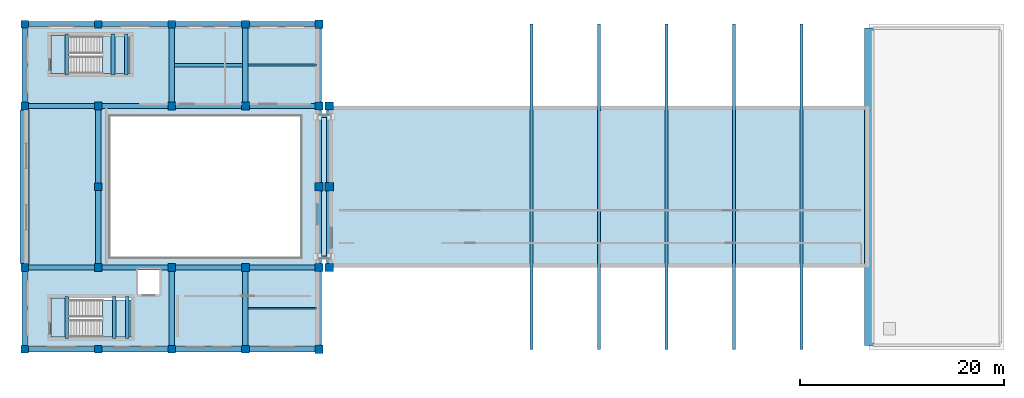
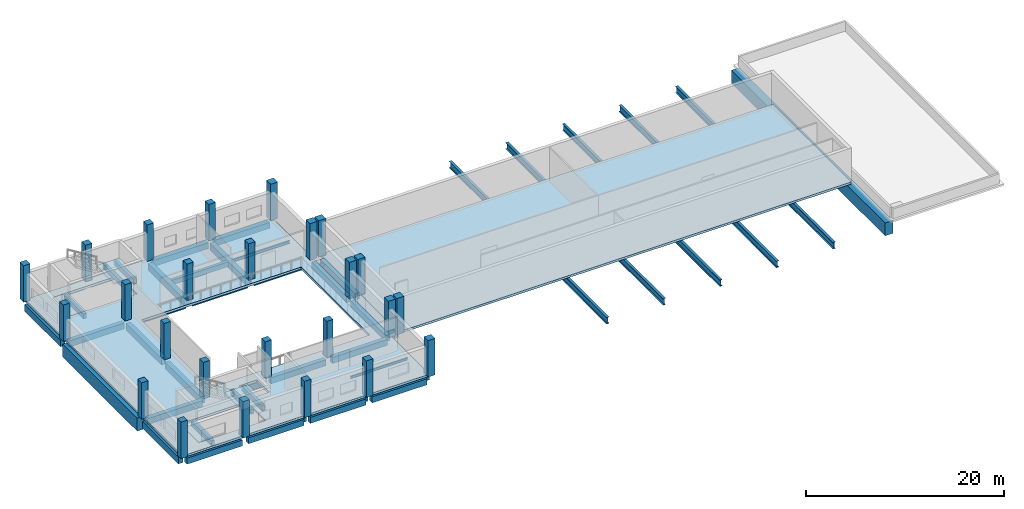
# One storey, part 1 of 7: 48 beams, 25 columns, 7 slabs, 2 elements without a shape of their own.
"""IFC4 building model written with IfcOpenShell, lengths in metres."""

from ifc_helpers import new_model, si_unit, direction, frame, origin, origin_2d, place, context, subcontext, project, spatial, polyline, rectangle, hollow_rectangle, i_section, outline, extrude, material, layer, layer_set, material_profile, profile_set, type_object, element, aggregate, save


model = new_model("IFC4")

# Units and contexts
model_context = context("Model", 3, precision=1e-05, world=origin(), true_north=direction((0.0, 1.0)))
body_context = subcontext(model_context, "Body", "Model", "MODEL_VIEW")
ifc_project = project(units=[si_unit("LENGTHUNIT", "METRE"), si_unit("AREAUNIT", "SQUARE_METRE"), si_unit("VOLUMEUNIT", "CUBIC_METRE"), si_unit("PLANEANGLEUNIT", "RADIAN"), si_unit("MASSUNIT", "GRAM", prefix="KILO")], contexts=[model_context])

# Site, building, storey
site_placement = place(None, origin())
site = spatial("IfcSite", under=ifc_project, at=site_placement, CompositionType="ELEMENT")
building_placement = place(site_placement, origin())
building = spatial("IfcBuilding", under=site, at=building_placement, Name="Kelarvand Opera House", CompositionType="ELEMENT")
storey_placement = place(building_placement, frame((0.0, 0.0, 24.0)))
storey = spatial("IfcBuildingStorey", under=building, at=storey_placement, Name="L05", CompositionType="ELEMENT", Elevation=24.0)

# Columns
ifc_material_1 = material(Name="Concrete C40/50", Category="concrete")
ifc_material_profile_1 = material_profile(ifc_material_1, rectangle(XDim=0.75, YDim=0.75, at=origin_2d()), Name="RC 750x750", Category="concrete")
ifc_profile_set_1 = profile_set([ifc_material_profile_1], Name="Concrete C40/50")
column_type_1 = type_object("IfcColumnType", Name="Structural Column RC 750x750 (Int) COL-750", PredefinedType="COLUMN", material=ifc_profile_set_1)
for number, where, z_axis, x_axis, name in (
    (1, (59.199951171875, 46.60009765625, 0.0), (0.0, 0.0, 1.0), (1.0, 0.0, 0.0), "V2 Column COL-750 at L05"),
    (2, (59.199951171875, 54.60009765625, 0.0), (0.0, 0.0, 1.0), (1.0, 0.0, 0.0), "V2 Column COL-750 at L05"),
    (3, (59.199951171875, 70.39990234375, 0.0), (0.0, 0.0, 1.0), (1.0, 0.0, 0.0), "V2 Column COL-750 at L05"),
    (4, (59.199951171875, 78.39990234375, 0.0), (0.0, 0.0, 1.0), (1.0, 0.0, 0.0), "V2 Column COL-750 at L05"),
    (5, (66.39990234375, 46.60009765625, 0.0), (0.0, 0.0, 1.0), (1.0, 0.0, 0.0), "V2 Column COL-750 at L05"),
    (6, (66.39990234375, 54.60009765625, 0.0), (0.0, 0.0, 1.0), (1.0, 0.0, 0.0), "V2 Column COL-750 at L05"),
    (7, (66.39990234375, 62.5, 0.0), (0.0, 0.0, 1.0), (1.0, 0.0, 0.0), "V2 Column COL-750 at L05"),
    (8, (66.39990234375, 70.39990234375, 0.0), (0.0, 0.0, 1.0), (1.0, 0.0, 0.0), "V2 Column COL-750 at L05"),
    (9, (66.39990234375, 78.39990234375, 0.0), (0.0, 0.0, 1.0), (1.0, 0.0, 0.0), "V2 Column COL-750 at L05"),
    (10, (73.60009765625, 46.60009765625, 0.0), (0.0, 0.0, 1.0), (1.0, 0.0, 0.0), "V2 Column COL-750 at L05"),
    (11, (73.60009765625, 54.60009765625, 0.0), (0.0, 0.0, 1.0), (1.0, 0.0, 0.0), "V2 Column COL-750 at L05"),
    (12, (73.60009765625, 70.39990234375, 0.0), (0.0, 0.0, 1.0), (1.0, 0.0, 0.0), "V2 Column COL-750 at L05"),
    (13, (73.60009765625, 78.39990234375, 0.0), (0.0, 0.0, 1.0), (1.0, 0.0, 0.0), "V2 Column COL-750 at L05"),
    (14, (80.800048828125, 46.60009765625, 0.0), (0.0, 0.0, 1.0), (1.0, 0.0, 0.0), "V2 Column COL-750 at L05"),
    (15, (80.800048828125, 54.60009765625, 0.0), (0.0, 0.0, 1.0), (1.0, 0.0, 0.0), "V2 Column COL-750 at L05"),
    (16, (80.800048828125, 70.39990234375, 0.0), (0.0, 0.0, 1.0), (1.0, 0.0, 0.0), "V2 Column COL-750 at L05"),
    (17, (80.800048828125, 78.39990234375, 0.0), (0.0, 0.0, 1.0), (1.0, 0.0, 0.0), "V2 Column COL-750 at L05"),
):
    element("IfcColumn", number, at=place(storey_placement, frame(where, z_axis=z_axis, x_axis=x_axis)), inside=storey, type_object=column_type_1, Name=name, PredefinedType="COLUMN", context=body_context, shape_type="SweptSolid", body=[
        extrude(rectangle(XDim=0.75, YDim=0.75, at=origin_2d()), origin(), (0.0, 0.0, 1.0), 4.5),
    ])
ifc_material_profile_2 = material_profile(ifc_material_1, rectangle(XDim=0.820068359375, YDim=0.820068359375, at=origin_2d()), Name="RC 820x820", Category="concrete")
ifc_profile_set_2 = profile_set([ifc_material_profile_2], Name="Concrete C40/50")
column_type_2 = type_object("IfcColumnType", Name="Structural Column RC 820x820 (Int) COL-820", PredefinedType="COLUMN", material=ifc_profile_set_2)
for number, where, z_axis, x_axis, name in (
    (18, (89.0, 54.60009765625, 0.0), (0.0, 0.0, 1.0), (1.0, 0.0, 0.0), "V1 Column COL-820 at L05"),
    (19, (89.0, 62.5, 0.0), (0.0, 0.0, 1.0), (1.0, 0.0, 0.0), "V1 Column COL-820 at L05"),
    (20, (89.0, 70.39990234375, 0.0), (0.0, 0.0, 1.0), (1.0, 0.0, 0.0), "V1 Column COL-820 at L05"),
    (21, (88.0, 46.60009765625, 0.0), (0.0, 0.0, 1.0), (1.0, 0.0, 0.0), "V2 Column COL-820 at L05"),
    (22, (88.0, 54.60009765625, 0.0), (0.0, 0.0, 1.0), (1.0, 0.0, 0.0), "V2 Column COL-820 at L05"),
    (23, (88.0, 62.5, 0.0), (0.0, 0.0, 1.0), (1.0, 0.0, 0.0), "V2 Column COL-820 at L05"),
    (24, (88.0, 70.39990234375, 0.0), (0.0, 0.0, 1.0), (1.0, 0.0, 0.0), "V2 Column COL-820 at L05"),
    (25, (88.0, 78.39990234375, 0.0), (0.0, 0.0, 1.0), (1.0, 0.0, 0.0), "V2 Column COL-820 at L05"),
):
    element("IfcColumn", number, at=place(storey_placement, frame(where, z_axis=z_axis, x_axis=x_axis)), inside=storey, type_object=column_type_2, Name=name, PredefinedType="COLUMN", context=body_context, shape_type="SweptSolid", body=[
        extrude(rectangle(XDim=0.820068359375, YDim=0.820068359375, at=origin_2d()), origin(), (0.0, 0.0, 1.0), 4.5),
    ])

# Beams
ifc_material_2 = material(Name="Steel S355", Category="steel")
ifc_material_profile_3 = material_profile(ifc_material_2, i_section(OverallWidth=0.300048828125, OverallDepth=0.800048828125, WebThickness=0.017578125, FlangeThickness=0.032958984375, at=origin_2d()), Name="HEB 800", Category="steel")
ifc_profile_set_3 = profile_set([ifc_material_profile_3], Name="Steel S355")
beam_type_1 = type_object("IfcBeamType", Name="Structural Beam HEB 800 BM-HEB800", PredefinedType="BEAM", material=ifc_profile_set_3)
for number, where, z_axis, x_axis, name in (
    (26, (108.800048828125, 46.60009765625, -0.679931640625), (0.0, 1.0, 0.0), (-1.0, 0.0, 0.0), "V1 L05 Beam BM-HEB800"),
    (27, (115.39990234375, 46.60009765625, -0.679931640625), (0.0, 1.0, 0.0), (-1.0, 0.0, 0.0), "V1 L05 Beam BM-HEB800"),
    (28, (122.0, 46.60009765625, -0.679931640625), (0.0, 1.0, 0.0), (-1.0, 0.0, 0.0), "V1 L05 Beam BM-HEB800"),
    (29, (128.60009765625, 46.60009765625, -0.679931640625), (0.0, 1.0, 0.0), (-1.0, 0.0, 0.0), "V1 L05 Beam BM-HEB800"),
    (30, (135.199951171875, 46.60009765625, -0.679931640625), (0.0, 1.0, 0.0), (-1.0, 0.0, 0.0), "V1 L05 Beam BM-HEB800"),
):
    element("IfcBeam", number, at=place(storey_placement, frame(where, z_axis=z_axis, x_axis=x_axis)), inside=storey, type_object=beam_type_1, Name=name, PredefinedType="BEAM", context=body_context, shape_type="SweptSolid", body=[
        extrude(i_section(OverallWidth=0.300048828125, OverallDepth=0.800048828125, WebThickness=0.017578125, FlangeThickness=0.032958984375, at=origin_2d()), origin(), (0.0, 0.0, 1.0), 31.7998046875),
    ])
ifc_material_3 = material(Name="Concrete C35/45", Category="concrete")
ifc_material_profile_4 = material_profile(ifc_material_3, rectangle(XDim=0.35009765625, YDim=0.60009765625, at=origin_2d()), Name="RC 350x600", Category="concrete")
ifc_profile_set_4 = profile_set([ifc_material_profile_4], Name="Concrete C35/45")
beam_type_2 = type_object("IfcBeamType", Name="Structural Beam RC 350x600 BM-RC350x600", PredefinedType="BEAM", material=ifc_profile_set_4)
beam_1_placement = place(storey_placement, frame((73.875, 74.39990234375, -0.580078125), z_axis=(1.0, 0.0, 0.0), x_axis=(0.0, 1.0, 0.0)))
element("IfcBeam", 31, at=beam_1_placement, inside=storey, type_object=beam_type_2, Name="V2 L05 Beam BM-RC350x600", PredefinedType="BEAM", context=body_context, shape_type="SweptSolid", body=[
    extrude(rectangle(XDim=0.35009765625, YDim=0.60009765625, at=origin_2d()), origin(), (0.0, 0.0, 1.0), 6.64990234375),
])
for number, where, z_axis, x_axis, name in (
    (32, (63.340087890625, 47.64990234375, -0.52001953125), (0.0, 1.0, 0.0), (-1.0, 0.0, 0.0), "C2 Stair Landing Support Beam L05"),
    (33, (67.949951171875, 47.64990234375, 1.75), (0.0, 1.0, 0.0), (-1.0, 0.0, 0.0), "C2 Stair Half-Landing Beam 1 L05"),
    (34, (69.25, 47.64990234375, 1.75), (0.0, 1.0, 0.0), (-1.0, 0.0, 0.0), "C2 Stair Half-Landing Beam 2 L05"),
):
    element("IfcBeam", number, at=place(storey_placement, frame(where, z_axis=z_axis, x_axis=x_axis)), inside=storey, type_object=beam_type_2, Name=name, PredefinedType="BEAM", context=body_context, shape_type="SweptSolid", body=[
        extrude(rectangle(XDim=0.35009765625, YDim=0.60009765625, at=origin_2d()), origin(), (0.0, 0.0, 1.0), 4.10009765625),
    ])
for number, where, z_axis, x_axis, name in (
    (35, (63.340087890625, 73.449951171875, -0.52001953125), (0.0, 1.0, 0.0), (-1.0, 0.0, 0.0), "C3 Stair Landing Support Beam L05"),
    (36, (67.85009765625, 73.449951171875, 1.75), (0.0, 1.0, 0.0), (-1.0, 0.0, 0.0), "C3 Stair Half-Landing Beam 1 L05"),
    (37, (69.14990234375, 73.449951171875, 1.75), (0.0, 1.0, 0.0), (-1.0, 0.0, 0.0), "C3 Stair Half-Landing Beam 2 L05"),
):
    element("IfcBeam", number, at=place(storey_placement, frame(where, z_axis=z_axis, x_axis=x_axis)), inside=storey, type_object=beam_type_2, Name=name, PredefinedType="BEAM", context=body_context, shape_type="SweptSolid", body=[
        extrude(rectangle(XDim=0.35009765625, YDim=0.60009765625, at=origin_2d()), origin(), (0.0, 0.0, 1.0), 4.0),
    ])
ifc_material_profile_5 = material_profile(ifc_material_1, rectangle(XDim=0.5, YDim=0.75, at=origin_2d()), Name="RC 500x750", Category="concrete")
ifc_profile_set_5 = profile_set([ifc_material_profile_5], Name="Concrete C40/50")
beam_type_3 = type_object("IfcBeamType", Name="Structural Beam RC 500x750 BM-RC500x750", PredefinedType="BEAM", material=ifc_profile_set_5)
beam_2_placement = place(storey_placement, frame((59.574951171875, 46.60009765625, -0.655029296875), z_axis=(1.0, 0.0, 0.0), x_axis=(0.0, 1.0, 0.0)))
element("IfcBeam", 38, at=beam_2_placement, inside=storey, type_object=beam_type_3, Name="V2 L05 Beam BM-RC500x750", PredefinedType="BEAM", context=body_context, shape_type="SweptSolid", body=[
    extrude(rectangle(XDim=0.5, YDim=0.75, at=origin_2d()), origin(), (0.0, 0.0, 1.0), 6.449951171875),
])
beam_3_placement = place(storey_placement, frame((66.77490234375, 46.60009765625, -0.655029296875), z_axis=(1.0, 0.0, 0.0), x_axis=(0.0, 1.0, 0.0)))
element("IfcBeam", 39, at=beam_3_placement, inside=storey, type_object=beam_type_3, Name="V2 L05 Beam BM-RC500x750", PredefinedType="BEAM", context=body_context, shape_type="SweptSolid", body=[
    extrude(rectangle(XDim=0.5, YDim=0.75, at=origin_2d()), origin(), (0.0, 0.0, 1.0), 6.4501953125),
])
beam_4_placement = place(storey_placement, frame((73.97509765625, 46.60009765625, -0.655029296875), z_axis=(1.0, 0.0, 0.0), x_axis=(0.0, 1.0, 0.0)))
element("IfcBeam", 40, at=beam_4_placement, inside=storey, type_object=beam_type_3, Name="V2 L05 Beam BM-RC500x750", PredefinedType="BEAM", context=body_context, shape_type="SweptSolid", body=[
    extrude(rectangle(XDim=0.5, YDim=0.75, at=origin_2d()), origin(), (0.0, 0.0, 1.0), 6.449951171875),
])
beam_5_placement = place(storey_placement, frame((81.175048828125, 46.60009765625, -0.655029296875), z_axis=(1.0, 0.0, 0.0), x_axis=(0.0, 1.0, 0.0)))
element("IfcBeam", 41, at=beam_5_placement, inside=storey, type_object=beam_type_3, Name="V2 L05 Beam BM-RC500x750", PredefinedType="BEAM", context=body_context, shape_type="SweptSolid", body=[
    extrude(rectangle(XDim=0.5, YDim=0.75, at=origin_2d()), origin(), (0.0, 0.0, 1.0), 6.4150390625),
])
beam_6_placement = place(storey_placement, frame((59.574951171875, 54.60009765625, -0.655029296875), z_axis=(1.0, 0.0, 0.0), x_axis=(0.0, 1.0, 0.0)))
element("IfcBeam", 42, at=beam_6_placement, inside=storey, type_object=beam_type_3, Name="V2 L05 Beam BM-RC500x750", PredefinedType="BEAM", context=body_context, shape_type="SweptSolid", body=[
    extrude(rectangle(XDim=0.5, YDim=0.75, at=origin_2d()), origin(), (0.0, 0.0, 1.0), 6.449951171875),
])
beam_7_placement = place(storey_placement, frame((66.77490234375, 54.60009765625, -0.655029296875), z_axis=(1.0, 0.0, 0.0), x_axis=(0.0, 1.0, 0.0)))
element("IfcBeam", 43, at=beam_7_placement, inside=storey, type_object=beam_type_3, Name="V2 L05 Beam BM-RC500x750", PredefinedType="BEAM", context=body_context, shape_type="SweptSolid", body=[
    extrude(rectangle(XDim=0.5, YDim=0.75, at=origin_2d()), origin(), (0.0, 0.0, 1.0), 6.4501953125),
])
beam_8_placement = place(storey_placement, frame((73.97509765625, 54.60009765625, -0.655029296875), z_axis=(1.0, 0.0, 0.0), x_axis=(0.0, 1.0, 0.0)))
element("IfcBeam", 44, at=beam_8_placement, inside=storey, type_object=beam_type_3, Name="V2 L05 Beam BM-RC500x750", PredefinedType="BEAM", context=body_context, shape_type="SweptSolid", body=[
    extrude(rectangle(XDim=0.5, YDim=0.75, at=origin_2d()), origin(), (0.0, 0.0, 1.0), 6.449951171875),
])
beam_9_placement = place(storey_placement, frame((81.175048828125, 54.60009765625, -0.655029296875), z_axis=(1.0, 0.0, 0.0), x_axis=(0.0, 1.0, 0.0)))
element("IfcBeam", 45, at=beam_9_placement, inside=storey, type_object=beam_type_3, Name="V2 L05 Beam BM-RC500x750", PredefinedType="BEAM", context=body_context, shape_type="SweptSolid", body=[
    extrude(rectangle(XDim=0.5, YDim=0.75, at=origin_2d()), origin(), (0.0, 0.0, 1.0), 6.4150390625),
])
beam_10_placement = place(storey_placement, frame((59.574951171875, 70.39990234375, -0.655029296875), z_axis=(1.0, 0.0, 0.0), x_axis=(0.0, 1.0, 0.0)))
element("IfcBeam", 46, at=beam_10_placement, inside=storey, type_object=beam_type_3, Name="V2 L05 Beam BM-RC500x750", PredefinedType="BEAM", context=body_context, shape_type="SweptSolid", body=[
    extrude(rectangle(XDim=0.5, YDim=0.75, at=origin_2d()), origin(), (0.0, 0.0, 1.0), 6.449951171875),
])
beam_11_placement = place(storey_placement, frame((66.77490234375, 70.39990234375, -0.655029296875), z_axis=(1.0, 0.0, 0.0), x_axis=(0.0, 1.0, 0.0)))
element("IfcBeam", 47, at=beam_11_placement, inside=storey, type_object=beam_type_3, Name="V2 L05 Beam BM-RC500x750", PredefinedType="BEAM", context=body_context, shape_type="SweptSolid", body=[
    extrude(rectangle(XDim=0.5, YDim=0.75, at=origin_2d()), origin(), (0.0, 0.0, 1.0), 6.4501953125),
])
beam_12_placement = place(storey_placement, frame((73.97509765625, 70.39990234375, -0.655029296875), z_axis=(1.0, 0.0, 0.0), x_axis=(0.0, 1.0, 0.0)))
element("IfcBeam", 48, at=beam_12_placement, inside=storey, type_object=beam_type_3, Name="V2 L05 Beam BM-RC500x750", PredefinedType="BEAM", context=body_context, shape_type="SweptSolid", body=[
    extrude(rectangle(XDim=0.5, YDim=0.75, at=origin_2d()), origin(), (0.0, 0.0, 1.0), 6.449951171875),
])
beam_13_placement = place(storey_placement, frame((81.175048828125, 70.39990234375, -0.655029296875), z_axis=(1.0, 0.0, 0.0), x_axis=(0.0, 1.0, 0.0)))
element("IfcBeam", 49, at=beam_13_placement, inside=storey, type_object=beam_type_3, Name="V2 L05 Beam BM-RC500x750", PredefinedType="BEAM", context=body_context, shape_type="SweptSolid", body=[
    extrude(rectangle(XDim=0.5, YDim=0.75, at=origin_2d()), origin(), (0.0, 0.0, 1.0), 6.4150390625),
])
beam_14_placement = place(storey_placement, frame((59.574951171875, 78.39990234375, -0.655029296875), z_axis=(1.0, 0.0, 0.0), x_axis=(0.0, 1.0, 0.0)))
element("IfcBeam", 50, at=beam_14_placement, inside=storey, type_object=beam_type_3, Name="V2 L05 Beam BM-RC500x750", PredefinedType="BEAM", context=body_context, shape_type="SweptSolid", body=[
    extrude(rectangle(XDim=0.5, YDim=0.75, at=origin_2d()), origin(), (0.0, 0.0, 1.0), 6.449951171875),
])
beam_15_placement = place(storey_placement, frame((66.77490234375, 78.39990234375, -0.655029296875), z_axis=(1.0, 0.0, 0.0), x_axis=(0.0, 1.0, 0.0)))
element("IfcBeam", 51, at=beam_15_placement, inside=storey, type_object=beam_type_3, Name="V2 L05 Beam BM-RC500x750", PredefinedType="BEAM", context=body_context, shape_type="SweptSolid", body=[
    extrude(rectangle(XDim=0.5, YDim=0.75, at=origin_2d()), origin(), (0.0, 0.0, 1.0), 6.4501953125),
])
beam_16_placement = place(storey_placement, frame((73.97509765625, 78.39990234375, -0.655029296875), z_axis=(1.0, 0.0, 0.0), x_axis=(0.0, 1.0, 0.0)))
element("IfcBeam", 52, at=beam_16_placement, inside=storey, type_object=beam_type_3, Name="V2 L05 Beam BM-RC500x750", PredefinedType="BEAM", context=body_context, shape_type="SweptSolid", body=[
    extrude(rectangle(XDim=0.5, YDim=0.75, at=origin_2d()), origin(), (0.0, 0.0, 1.0), 6.449951171875),
])
beam_17_placement = place(storey_placement, frame((81.175048828125, 78.39990234375, -0.655029296875), z_axis=(1.0, 0.0, 0.0), x_axis=(0.0, 1.0, 0.0)))
element("IfcBeam", 53, at=beam_17_placement, inside=storey, type_object=beam_type_3, Name="V2 L05 Beam BM-RC500x750", PredefinedType="BEAM", context=body_context, shape_type="SweptSolid", body=[
    extrude(rectangle(XDim=0.5, YDim=0.75, at=origin_2d()), origin(), (0.0, 0.0, 1.0), 6.4150390625),
])
ifc_material_profile_6 = material_profile(ifc_material_1, rectangle(XDim=0.550048828125, YDim=0.85009765625, at=origin_2d()), Name="RC 550x850", Category="concrete")
ifc_profile_set_6 = profile_set([ifc_material_profile_6], Name="Concrete C40/50")
beam_type_4 = type_object("IfcBeamType", Name="Structural Beam RC 550x850 BM-RC550x850", PredefinedType="BEAM", material=ifc_profile_set_6)
for number, where, z_axis, x_axis, name in (
    (54, (59.199951171875, 46.97509765625, -0.705078125), (0.0, 1.0, 0.0), (-1.0, 0.0, 0.0), "V2 L05 Beam BM-RC550x850"),
    (55, (59.199951171875, 70.77490234375, -0.705078125), (0.0, 1.0, 0.0), (-1.0, 0.0, 0.0), "V2 L05 Beam BM-RC550x850"),
):
    element("IfcBeam", number, at=place(storey_placement, frame(where, z_axis=z_axis, x_axis=x_axis)), inside=storey, type_object=beam_type_4, Name=name, PredefinedType="BEAM", context=body_context, shape_type="SweptSolid", body=[
        extrude(rectangle(XDim=0.550048828125, YDim=0.85009765625, at=origin_2d()), origin(), (0.0, 0.0, 1.0), 7.25),
    ])
for number, where, z_axis, x_axis, name in (
    (56, (66.39990234375, 54.97509765625, -0.705078125), (0.0, 1.0, 0.0), (-1.0, 0.0, 0.0), "V2 L05 Beam BM-RC550x850"),
    (57, (66.39990234375, 62.875, -0.705078125), (0.0, 1.0, 0.0), (-1.0, 0.0, 0.0), "V2 L05 Beam BM-RC550x850"),
):
    element("IfcBeam", number, at=place(storey_placement, frame(where, z_axis=z_axis, x_axis=x_axis)), inside=storey, type_object=beam_type_4, Name=name, PredefinedType="BEAM", context=body_context, shape_type="SweptSolid", body=[
        extrude(rectangle(XDim=0.550048828125, YDim=0.85009765625, at=origin_2d()), origin(), (0.0, 0.0, 1.0), 7.14990234375),
    ])
for number, where, z_axis, x_axis, name in (
    (58, (73.60009765625, 46.97509765625, -0.705078125), (0.0, 1.0, 0.0), (-1.0, 0.0, 0.0), "V2 L05 Beam BM-RC550x850"),
    (59, (73.60009765625, 70.77490234375, -0.705078125), (0.0, 1.0, 0.0), (-1.0, 0.0, 0.0), "V2 L05 Beam BM-RC550x850"),
    (60, (80.800048828125, 46.97509765625, -0.705078125), (0.0, 1.0, 0.0), (-1.0, 0.0, 0.0), "V2 L05 Beam BM-RC550x850"),
    (61, (80.800048828125, 70.77490234375, -0.705078125), (0.0, 1.0, 0.0), (-1.0, 0.0, 0.0), "V2 L05 Beam BM-RC550x850"),
):
    element("IfcBeam", number, at=place(storey_placement, frame(where, z_axis=z_axis, x_axis=x_axis)), inside=storey, type_object=beam_type_4, Name=name, PredefinedType="BEAM", context=body_context, shape_type="SweptSolid", body=[
        extrude(rectangle(XDim=0.550048828125, YDim=0.85009765625, at=origin_2d()), origin(), (0.0, 0.0, 1.0), 7.25),
    ])
ifc_material_profile_7 = material_profile(ifc_material_1, rectangle(XDim=0.89990234375, YDim=1.60009765625, at=origin_2d()), Name="RC 900x1600", Category="concrete")
ifc_profile_set_7 = profile_set([ifc_material_profile_7], Name="Concrete C40/50")
beam_type_5 = type_object("IfcBeamType", Name="Structural Beam RC 900x1600 BM-RC900x1600", PredefinedType="BEAM", material=ifc_profile_set_7)
beam_18_placement = place(storey_placement, frame((141.800048828125, 46.97509765625, -1.080078125), z_axis=(0.0, 1.0, 0.0), x_axis=(-1.0, 0.0, 0.0)))
element("IfcBeam", 62, at=beam_18_placement, inside=storey, type_object=beam_type_5, Name="V1 L05 Beam BM-RC900x1600", PredefinedType="BEAM", context=body_context, shape_type="SweptSolid", body=[
    extrude(rectangle(XDim=0.89990234375, YDim=1.60009765625, at=origin_2d()), origin(), (0.0, 0.0, 1.0), 31.0498046875),
])
beam_19_placement = place(storey_placement, frame((59.199951171875, 54.97509765625, -1.080078125), z_axis=(0.0, 1.0, 0.0), x_axis=(-1.0, 0.0, 0.0)))
element("IfcBeam", 63, at=beam_19_placement, inside=storey, type_object=beam_type_5, Name="V2 L05 Beam BM-RC900x1600", PredefinedType="BEAM", context=body_context, shape_type="SweptSolid", body=[
    extrude(rectangle(XDim=0.89990234375, YDim=1.60009765625, at=origin_2d()), origin(), (0.0, 0.0, 1.0), 15.0498046875),
])
ifc_material_profile_8 = material_profile(ifc_material_2, hollow_rectangle(XDim=0.199951171875, YDim=0.39990234375, WallThickness=0.01611328125, at=origin_2d()), Name="RHS 400x200x16.0", Category="steel")
ifc_profile_set_8 = profile_set([ifc_material_profile_8], Name="Steel S355")
beam_type_6 = type_object("IfcBeamType", Name="Structural Beam RHS 400x200x16.0 BM-RHS400", PredefinedType="BEAM", material=ifc_profile_set_8)
for number, where, z_axis, x_axis, name in (
    (64, (87.85009765625, 55.64990234375, -0.52001953125), (1.0, 0.0, 0.0), (0.0, 1.0, 0.0), "Seismic Sliding Corbel Beam BR-JP-L5 L05 1"),
    (65, (87.85009765625, 69.35009765625, -0.52001953125), (1.0, 0.0, 0.0), (0.0, 1.0, 0.0), "Seismic Sliding Corbel Beam BR-JP-L5 L05 2"),
):
    element("IfcBeam", number, at=place(storey_placement, frame(where, z_axis=z_axis, x_axis=x_axis)), inside=storey, type_object=beam_type_6, Name=name, PredefinedType="BEAM", context=body_context, shape_type="SweptSolid", body=[
        extrude(hollow_rectangle(XDim=0.199951171875, YDim=0.39990234375, WallThickness=0.01611328125, at=origin_2d()), origin(), (0.0, 0.0, 1.0), 1.2998046875),
    ])
ifc_material_profile_9 = material_profile(ifc_material_2, i_section(OverallWidth=0.14990234375, OverallDepth=0.300048828125, WebThickness=0.007080078125, FlangeThickness=0.0107421875, at=origin_2d()), Name="IPE 300", Category="steel")
ifc_profile_set_9 = profile_set([ifc_material_profile_9], Name="Steel S355")
beam_type_7 = type_object("IfcBeamType", Name="Structural Joist IPE 300 JS-IPE300", PredefinedType="JOIST", material=ifc_profile_set_9)
beam_20_placement = place(storey_placement, frame((81.074951171875, 50.60009765625, -0.429931640625), z_axis=(1.0, 0.0, 0.0), x_axis=(0.0, 1.0, 0.0)))
element("IfcBeam", 66, at=beam_20_placement, inside=storey, type_object=beam_type_7, Name="V2 L05 Beam JS-IPE300", PredefinedType="JOIST", context=body_context, shape_type="SweptSolid", body=[
    extrude(i_section(OverallWidth=0.14990234375, OverallDepth=0.300048828125, WebThickness=0.007080078125, FlangeThickness=0.0107421875, at=origin_2d()), origin(), (0.0, 0.0, 1.0), 6.675048828125),
])
ifc_material_profile_10 = material_profile(ifc_material_2, i_section(OverallWidth=0.169921875, OverallDepth=0.360107421875, WebThickness=0.008056640625, FlangeThickness=0.0126953125, at=origin_2d()), Name="IPE 360", Category="steel")
ifc_profile_set_10 = profile_set([ifc_material_profile_10], Name="Steel S355")
beam_type_8 = type_object("IfcBeamType", Name="Structural Joist IPE 360 JS-IPE360", PredefinedType="JOIST", material=ifc_profile_set_10)
beam_21_placement = place(storey_placement, frame((81.074951171875, 74.39990234375, -0.4599609375), z_axis=(1.0, 0.0, 0.0), x_axis=(0.0, 1.0, 0.0)))
element("IfcBeam", 67, at=beam_21_placement, inside=storey, type_object=beam_type_8, Name="V2 L05 Beam JS-IPE360", PredefinedType="JOIST", context=body_context, shape_type="SweptSolid", body=[
    extrude(i_section(OverallWidth=0.169921875, OverallDepth=0.360107421875, WebThickness=0.008056640625, FlangeThickness=0.0126953125, at=origin_2d()), origin(), (0.0, 0.0, 1.0), 6.675048828125),
])
ifc_material_profile_11 = material_profile(ifc_material_1, rectangle(XDim=0.5, YDim=0.75, at=origin_2d()), Name="RC 500x750", Category="concrete")
ifc_profile_set_11 = profile_set([ifc_material_profile_11], Name="Concrete C40/50")
beam_type_9 = type_object("IfcBeamType", Name="Structural Spandrel RC 500x750 SP-RC500x750E", PredefinedType="SPANDREL", material=ifc_profile_set_11)
for number, where, z_axis, x_axis, name in (
    (68, (89.0, 55.010009765625, -0.655029296875), (0.0, 1.0, 0.0), (-1.0, 0.0, 0.0), "V1 L05 Beam SP-RC500x750E"),
    (69, (89.0, 62.909912109375, -0.655029296875), (0.0, 1.0, 0.0), (-1.0, 0.0, 0.0), "V1 L05 Beam SP-RC500x750E"),
):
    element("IfcBeam", number, at=place(storey_placement, frame(where, z_axis=z_axis, x_axis=x_axis)), inside=storey, type_object=beam_type_9, Name=name, PredefinedType="SPANDREL", context=body_context, shape_type="SweptSolid", body=[
        extrude(rectangle(XDim=0.5, YDim=0.75, at=origin_2d()), origin(), (0.0, 0.0, 1.0), 7.080078125),
    ])
beam_22_placement = place(storey_placement, frame((88.0, 47.010009765625, -0.655029296875), z_axis=(0.0, 1.0, 0.0), x_axis=(-1.0, 0.0, 0.0)))
element("IfcBeam", 70, at=beam_22_placement, inside=storey, type_object=beam_type_9, Name="V2 L05 Beam SP-RC500x750E", PredefinedType="SPANDREL", context=body_context, shape_type="SweptSolid", body=[
    extrude(rectangle(XDim=0.5, YDim=0.75, at=origin_2d()), origin(), (0.0, 0.0, 1.0), 7.179931640625),
])
for number, where, z_axis, x_axis, name in (
    (71, (88.0, 55.010009765625, -0.655029296875), (0.0, 1.0, 0.0), (-1.0, 0.0, 0.0), "V2 L05 Beam SP-RC500x750E"),
    (72, (88.0, 62.909912109375, -0.655029296875), (0.0, 1.0, 0.0), (-1.0, 0.0, 0.0), "V2 L05 Beam SP-RC500x750E"),
):
    element("IfcBeam", number, at=place(storey_placement, frame(where, z_axis=z_axis, x_axis=x_axis)), inside=storey, type_object=beam_type_9, Name=name, PredefinedType="SPANDREL", context=body_context, shape_type="SweptSolid", body=[
        extrude(rectangle(XDim=0.5, YDim=0.75, at=origin_2d()), origin(), (0.0, 0.0, 1.0), 7.080078125),
    ])
beam_23_placement = place(storey_placement, frame((88.0, 70.81005859375, -0.655029296875), z_axis=(0.0, 1.0, 0.0), x_axis=(-1.0, 0.0, 0.0)))
element("IfcBeam", 73, at=beam_23_placement, inside=storey, type_object=beam_type_9, Name="V2 L05 Beam SP-RC500x750E", PredefinedType="SPANDREL", context=body_context, shape_type="SweptSolid", body=[
    extrude(rectangle(XDim=0.5, YDim=0.75, at=origin_2d()), origin(), (0.0, 0.0, 1.0), 7.179931640625),
])

# Slabs
ifc_layer_1 = layer(ifc_material_3, 0.219970703125, Name="Concrete C35/45", Category="concrete")
ifc_layer_set_1 = layer_set([ifc_layer_1], Name="Concrete C35/45")
slab_type_1 = type_object("IfcSlabType", Name="Core Stair Entry Landing Slab 220", PredefinedType="LANDING", material=ifc_layer_set_1)
slab_1_placement = place(storey_placement, frame((0.0, 0.0, -0.219970703125)))
element("IfcSlab", 74, at=slab_1_placement, inside=storey, type_object=slab_type_1, Name="C2 Stair Entry Landing L05", PredefinedType="LANDING", context=body_context, shape_type="SweptSolid", body=[
    extrude(outline(polyline([(61.800048828125, 47.800048828125), (63.52001953125, 47.800048828125), (63.52001953125, 51.60009765625), (61.800048828125, 51.60009765625), (61.800048828125, 47.800048828125)])), origin(), (0.0, 0.0, 1.0), 0.219970703125),
])
slab_2_placement = place(storey_placement, frame((0.0, 0.0, -0.219970703125)))
element("IfcSlab", 75, at=slab_2_placement, inside=storey, type_object=slab_type_1, Name="C3 Stair Entry Landing L05", PredefinedType="LANDING", context=body_context, shape_type="SweptSolid", body=[
    extrude(outline(polyline([(61.800048828125, 73.60009765625), (63.52001953125, 73.60009765625), (63.52001953125, 77.300048828125), (61.800048828125, 77.300048828125), (61.800048828125, 73.60009765625)])), origin(), (0.0, 0.0, 1.0), 0.219970703125),
])
ifc_layer_2 = layer(ifc_material_3, 0.280029296875, Name="Concrete C35/45", Category="concrete")
ifc_layer_set_2 = layer_set([ifc_layer_2], Name="Concrete C35/45")
slab_type_2 = type_object("IfcSlabType", Name="Gallery Floor Slab 280", PredefinedType="FLOOR", material=ifc_layer_set_2)
slab_3_placement = place(storey_placement, frame((0.0, 0.0, -0.280029296875)))
element("IfcSlab", 76, at=slab_3_placement, inside=storey, type_object=slab_type_2, Name="V1 L05 Structural Slab 8", PredefinedType="FLOOR", context=body_context, shape_type="SweptSolid", body=[
    extrude(outline(polyline([(141.800048828125, 54.60009765625), (141.800048828125, 70.39990234375), (89.0, 70.39990234375), (89.0, 54.60009765625), (141.800048828125, 54.60009765625)])), origin(), (0.0, 0.0, 1.0), 0.280029296875),
])
slab_4_placement = place(storey_placement, frame((0.0, 0.0, -0.280029296875)))
element("IfcSlab", 77, at=slab_4_placement, inside=storey, type_object=slab_type_2, Name="V2 L05 Structural Slab 16", PredefinedType="FLOOR", context=body_context, shape_type="SweptSolid", body=[
    extrude(outline(polyline([(88.0, 46.60009765625), (88.0, 78.39990234375), (59.199951171875, 78.39990234375), (59.199951171875, 46.60009765625), (88.0, 46.60009765625)]), holes=[polyline([(61.800048828125, 51.60009765625), (69.60009765625, 51.60009765625), (69.60009765625, 47.800048828125), (61.800048828125, 47.800048828125), (61.800048828125, 51.60009765625)]), polyline([(70.300048828125, 54.39990234375), (72.39990234375, 54.39990234375), (72.39990234375, 51.949951171875), (70.300048828125, 51.949951171875), (70.300048828125, 54.39990234375)]), polyline([(67.60009765625, 69.39990234375), (86.199951171875, 69.39990234375), (86.199951171875, 55.60009765625), (67.60009765625, 55.60009765625), (67.60009765625, 69.39990234375)]), polyline([(61.800048828125, 77.300048828125), (69.5, 77.300048828125), (69.5, 73.60009765625), (61.800048828125, 73.60009765625), (61.800048828125, 77.300048828125)])]), origin(), (0.0, 0.0, 1.0), 0.280029296875),
])

# Stair, slab
stair_type = type_object("IfcStairType", Name="Dogleg Concrete Exit Stair 1660mm 26R STA-03", PredefinedType="HALF_TURN_STAIR", material=ifc_material_3)
stair_1_placement = place(storey_placement, origin())
stair_1 = element("IfcStair", 78, at=stair_1_placement, inside=storey, type_object=stair_type, Name="L05 Stage House South Firefighting and Goods Core C2 Stair ST-02", PredefinedType="HALF_TURN_STAIR")
ifc_layer_3 = layer(ifc_material_3, 0.199951171875, Name="Concrete C35/45", Category="concrete")
ifc_layer_set_3 = layer_set([ifc_layer_3], Name="Concrete C35/45")
slab_type_3 = type_object("IfcSlabType", Name="Precast Stair Half-Landing Slab 200", PredefinedType="LANDING", material=ifc_layer_set_3)
slab_5_placement = place(storey_placement, frame((0.0, 0.0, 2.050048828125)))
slab_5 = element("IfcSlab", 79, at=slab_5_placement, type_object=slab_type_3, Name="ST-02 landing 1", PredefinedType="LANDING", context=body_context, shape_type="SweptSolid", body=[
    extrude(outline(polyline([(66.820068359375, 47.800048828125), (69.60009765625, 47.800048828125), (69.60009765625, 51.39990234375), (66.820068359375, 51.39990234375), (66.820068359375, 47.800048828125)])), origin(), (0.0, 0.0, 1.0), 0.199951171875),
])
aggregate(stair_1, [slab_5])

stair_2_placement = place(storey_placement, origin())
stair_2 = element("IfcStair", 80, at=stair_2_placement, inside=storey, type_object=stair_type, Name="L05 Fly Tower North Technical Core C3 Stair ST-03", PredefinedType="HALF_TURN_STAIR")
slab_6_placement = place(storey_placement, frame((0.0, 0.0, 2.050048828125)))
slab_6 = element("IfcSlab", 81, at=slab_6_placement, type_object=slab_type_3, Name="ST-03 landing 1", PredefinedType="LANDING", context=body_context, shape_type="SweptSolid", body=[
    extrude(outline(polyline([(66.820068359375, 73.60009765625), (69.5, 73.60009765625), (69.5, 77.199951171875), (66.820068359375, 77.199951171875), (66.820068359375, 73.60009765625)])), origin(), (0.0, 0.0, 1.0), 0.199951171875),
])
aggregate(stair_2, [slab_6])

# Slab
ifc_layer_4 = layer(ifc_material_3, 0.260009765625, Name="Concrete C35/45", Category="concrete")
ifc_layer_set_4 = layer_set([ifc_layer_4], Name="Concrete C35/45")
slab_type_4 = type_object("IfcSlabType", Name="Seismic Bridge Deck Slab 260", PredefinedType="FLOOR", material=ifc_layer_set_4)
slab_7_placement = place(storey_placement, frame((0.0, 0.0, -0.260009765625)))
element("IfcSlab", 82, at=slab_7_placement, inside=storey, type_object=slab_type_4, Name="Seismic Joint Sliding Bridge BR-JP-L5 L05", PredefinedType="FLOOR", context=body_context, shape_type="SweptSolid", body=[
    extrude(outline(polyline([(88.0, 55.39990234375), (89.0, 55.39990234375), (89.0, 69.60009765625), (88.0, 69.60009765625), (88.0, 55.39990234375)])), origin(), (0.0, 0.0, 1.0), 0.260009765625),
])

save(model, "model.ifc")
